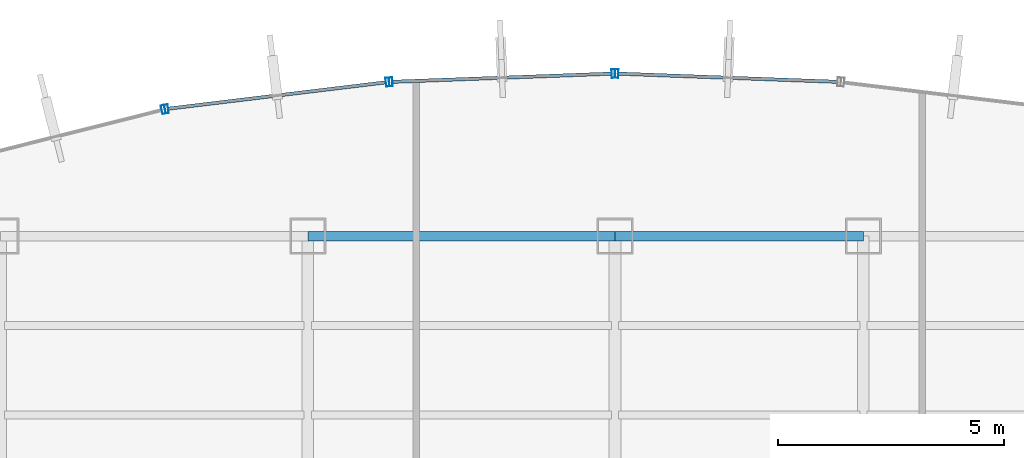
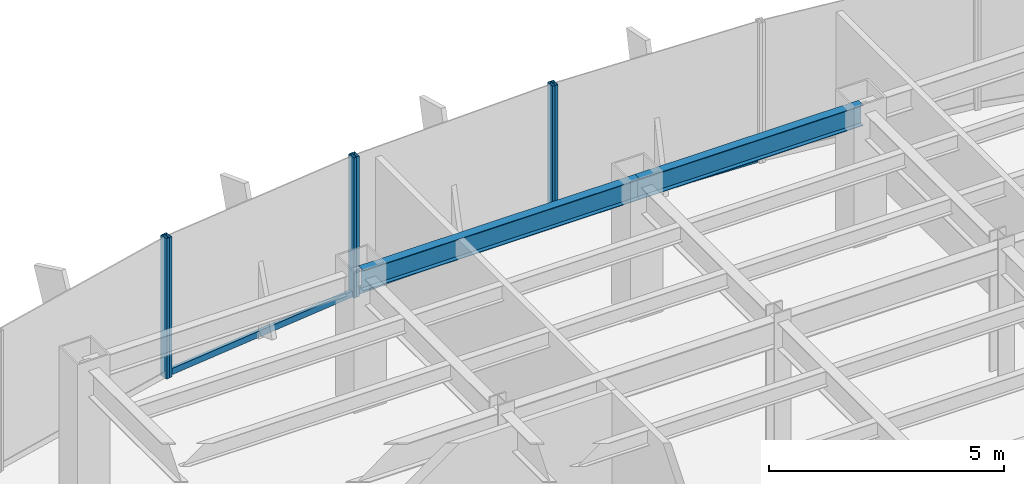
# One storey, part 16 of 26: 9 members, 2 beams, 4 elements without a shape of their own.
"""IFC4 building model written with IfcOpenShell, lengths in metres."""

from ifc_helpers import new_model, si_unit, derived_unit, direction, frame, origin, origin_2d, place, context, subcontext, project, spatial, hollow_rectangle, i_section, extrude, source, transform, mapped, material, material_profile, profile_set, type_object, element, aggregate, save


model = new_model("IFC4")

# Units and contexts
model_context = context("Model", 3, precision=1e-05, world=origin(), true_north=direction((0.0, 1.0)))
body_context = subcontext(model_context, "Body", "Model", "MODEL_VIEW")
ifc_project = project(units=[si_unit("LENGTHUNIT", "METRE"), si_unit("AREAUNIT", "SQUARE_METRE"), si_unit("VOLUMEUNIT", "CUBIC_METRE"), si_unit("PLANEANGLEUNIT", "RADIAN"), si_unit("MASSUNIT", "GRAM", prefix="KILO"), derived_unit("THERMALTRANSMITTANCEUNIT", [(si_unit("POWERUNIT", "WATT"), 1), (si_unit("LENGTHUNIT", "METRE"), -2), (si_unit("THERMODYNAMICTEMPERATUREUNIT", "KELVIN"), -1)])], contexts=[model_context])

# Site, building, storey
site_placement = place(None, origin())
site = spatial("IfcSite", under=ifc_project, at=site_placement, CompositionType="ELEMENT")
building_placement = place(site_placement, origin())
building = spatial("IfcBuilding", under=site, at=building_placement, Name="Skarnbrae Concourse Arena and Tower", CompositionType="ELEMENT")
storey_placement = place(building_placement, frame((0.0, 0.0, 125.14990234375)))
storey = spatial("IfcBuildingStorey", under=building, at=storey_placement, Name="L31", CompositionType="ELEMENT", Elevation=125.14990234375)

# Beams
ifc_material_1 = material(Name="Steel CSA G40.21 350W", Category="steel")
ifc_material_profile_1 = material_profile(ifc_material_1, i_section(OverallWidth=0.208984375, OverallDepth=0.532958984375, WebThickness=0.01025390625, FlangeThickness=0.015625, at=origin_2d()), Name="W530X92")
ifc_profile_set_1 = profile_set([ifc_material_profile_1], Name="Steel CSA G40.21 350W")
beam_type = type_object("IfcBeamType", Name="BM-SPAN-W530X92", PredefinedType="SPANDREL", material=ifc_profile_set_1)
shared_shape_1 = source(origin(), body_context, "Body", "SweptSolid", [
    extrude(i_section(OverallWidth=0.208984375, OverallDepth=0.532958984375, WebThickness=0.01025390625, FlangeThickness=0.015625, at=origin_2d()), origin(), (0.0, 0.0, 1.0), 6.800048828125),
])
beam_1_placement = place(storey_placement, frame((21.199951171875, 40.39990234375, 3.133544921875), z_axis=(1.0, 0.0, 0.0), x_axis=(0.0, 1.0, 0.0)))
element("IfcBeam", 1, at=beam_1_placement, inside=storey, type_object=beam_type, Name="L31 Perimeter spandrel Y40.4-2", PredefinedType="SPANDREL", context=body_context, shape_type="MappedRepresentation", body=[
    mapped(shared_shape_1, transform((0.0, 0.0, 0.0))),
])
shared_shape_2 = source(origin(), body_context, "Body", "SweptSolid", [
    extrude(i_section(OverallWidth=0.208984375, OverallDepth=0.532958984375, WebThickness=0.01025390625, FlangeThickness=0.015625, at=origin_2d()), origin(), (0.0, 0.0, 1.0), 5.5),
])
beam_2_placement = place(storey_placement, frame((28.0, 40.39990234375, 3.133544921875), z_axis=(1.0, 0.0, 0.0), x_axis=(0.0, 1.0, 0.0)))
element("IfcBeam", 2, at=beam_2_placement, inside=storey, type_object=beam_type, Name="L31 Perimeter spandrel Y40.4-3", PredefinedType="SPANDREL", context=body_context, shape_type="MappedRepresentation", body=[
    mapped(shared_shape_2, transform((0.0, 0.0, 0.0))),
])

# Curtain wall, member
ifc_material_2 = material(Name="Bronze anodised aluminium 6063-T6", Category="aluminium")
curtain_wall_type = type_object("IfcCurtainWallType", Name="CW-SYS-04-MIDZONE", PredefinedType="USERDEFINED", material=ifc_material_2)
curtain_wall_1_placement = place(storey_placement, origin())
curtain_wall_1 = element("IfcCurtainWall", 3, at=curtain_wall_1_placement, inside=storey, type_object=curtain_wall_type, Name="L31 Unitised curtain wall CW-L31-E11", ObjectType="UNITISED CURTAIN WALL", PredefinedType="USERDEFINED")
ifc_material_profile_2 = material_profile(ifc_material_2, hollow_rectangle(XDim=0.074951171875, YDim=0.195068359375, WallThickness=0.00439453125, at=origin_2d()), Name="ALU-MULL-75X195")
ifc_profile_set_2 = profile_set([ifc_material_profile_2], Name="Bronze anodised aluminium 6063-T6")
member_type_1 = type_object("IfcMemberType", Name="CWM-CW-04", PredefinedType="MULLION", material=ifc_profile_set_2)
shared_shape_3 = source(origin(), body_context, "Body", "SweptSolid", [
    extrude(hollow_rectangle(XDim=0.074951171875, YDim=0.195068359375, WallThickness=0.00439453125, at=origin_2d()), origin(), (0.0, 0.0, 1.0), 3.650146484375),
])
member_1_placement = place(storey_placement, frame((28.03759765625, 43.99853515625, 0.0), z_axis=(0.0, 0.0, 1.0), x_axis=(-0.999308486252, 0.037182647889, 0.0)))
member_1 = element("IfcMember", 4, at=member_1_placement, type_object=member_type_1, Name="CW-L31-E11 Mullion 2", PredefinedType="MULLION", context=body_context, shape_type="MappedRepresentation", body=[
    mapped(shared_shape_3, transform((0.0, 0.0, 0.0))),
])

# Curtain wall, members
curtain_wall_2_placement = place(storey_placement, origin())
curtain_wall_2 = element("IfcCurtainWall", 5, at=curtain_wall_2_placement, inside=storey, type_object=curtain_wall_type, Name="L31 Unitised curtain wall CW-L31-E12", ObjectType="UNITISED CURTAIN WALL", PredefinedType="USERDEFINED")
member_2_placement = place(storey_placement, frame((27.96240234375, 43.99853515625, 0.0), z_axis=(0.0, 0.0, 1.0), x_axis=(-0.999308486252, -0.037182647889, 0.0)))
member_2 = element("IfcMember", 6, at=member_2_placement, type_object=member_type_1, Name="CW-L31-E12 Mullion 1", PredefinedType="MULLION", context=body_context, shape_type="MappedRepresentation", body=[
    mapped(shared_shape_3, transform((0.0, 0.0, 0.0))),
])
member_3_placement = place(storey_placement, frame((23.03857421875, 43.8154296875, 0.0), z_axis=(0.0, 0.0, 1.0), x_axis=(-0.999308486252, -0.037182647889, 0.0)))
member_3 = element("IfcMember", 7, at=member_3_placement, type_object=member_type_1, Name="CW-L31-E12 Mullion 2", PredefinedType="MULLION", context=body_context, shape_type="MappedRepresentation", body=[
    mapped(shared_shape_3, transform((0.0, 0.0, 0.0))),
])

curtain_wall_3_placement = place(storey_placement, origin())
curtain_wall_3 = element("IfcCurtainWall", 8, at=curtain_wall_3_placement, inside=storey, type_object=curtain_wall_type, Name="L31 Unitised curtain wall CW-L31-E13", ObjectType="UNITISED CURTAIN WALL", PredefinedType="USERDEFINED")
member_4_placement = place(storey_placement, frame((22.9638671875, 43.8095703125, 0.0), z_axis=(0.0, 0.0, 1.0), x_axis=(-0.992749371969, -0.120202680731, 0.0)))
member_4 = element("IfcMember", 9, at=member_4_placement, type_object=member_type_1, Name="CW-L31-E13 Mullion 1", PredefinedType="MULLION", context=body_context, shape_type="MappedRepresentation", body=[
    mapped(shared_shape_3, transform((0.0, 0.0, 0.0))),
])
member_5_placement = place(storey_placement, frame((18.072998046875, 43.21728515625, 0.0), z_axis=(0.0, 0.0, 1.0), x_axis=(-0.992749371969, -0.120202680731, 0.0)))
member_5 = element("IfcMember", 10, at=member_5_placement, type_object=member_type_1, Name="CW-L31-E13 Mullion 2", PredefinedType="MULLION", context=body_context, shape_type="MappedRepresentation", body=[
    mapped(shared_shape_3, transform((0.0, 0.0, 0.0))),
])

# Curtain wall, member
curtain_wall_4_placement = place(storey_placement, origin())
curtain_wall_4 = element("IfcCurtainWall", 11, at=curtain_wall_4_placement, inside=storey, type_object=curtain_wall_type, Name="L31 Unitised curtain wall CW-L31-E14", ObjectType="UNITISED CURTAIN WALL", PredefinedType="USERDEFINED")
member_6_placement = place(storey_placement, frame((17.99951171875, 43.20361328125, 0.0), z_axis=(0.0, 0.0, 1.0), x_axis=(-0.969903046166, -0.243491439351, 0.0)))
member_6 = element("IfcMember", 12, at=member_6_placement, type_object=member_type_1, Name="CW-L31-E14 Mullion 1", PredefinedType="MULLION", context=body_context, shape_type="MappedRepresentation", body=[
    mapped(shared_shape_3, transform((0.0, 0.0, 0.0))),
])
aggregate(curtain_wall_4, [member_6])

# Member
ifc_material_profile_3 = material_profile(ifc_material_2, hollow_rectangle(XDim=0.074951171875, YDim=0.159912109375, WallThickness=0.00439453125, at=origin_2d()), Name="ALU-TRAN-75X160")
ifc_profile_set_3 = profile_set([ifc_material_profile_3], Name="Bronze anodised aluminium 6063-T6")
member_type_2 = type_object("IfcMemberType", Name="CWT-CW-04", PredefinedType="USERDEFINED", material=ifc_profile_set_3)
shared_shape_4 = source(origin(), body_context, "Body", "SweptSolid", [
    extrude(hollow_rectangle(XDim=0.074951171875, YDim=0.159912109375, WallThickness=0.00439453125, at=origin_2d()), origin(), (0.0, 0.0, 1.0), 4.851318359375),
])
member_7_placement = place(storey_placement, frame((22.926513671875, 43.804931640625, 0.080078125), z_axis=(-0.992746710317, -0.120224661172, 0.0), x_axis=(0.120224661172, -0.992746710317, 0.0)))
member_7 = element("IfcMember", 13, at=member_7_placement, type_object=member_type_2, Name="CW-L31-E13 Transom 1", ObjectType="TRANSOM", PredefinedType="USERDEFINED", context=body_context, shape_type="MappedRepresentation", body=[
    mapped(shared_shape_4, transform((0.0, 0.0, 0.0))),
])

aggregate(curtain_wall_3, [member_4, member_5, member_7])

shared_shape_5 = source(origin(), body_context, "Body", "SweptSolid", [
    extrude(hollow_rectangle(XDim=0.074951171875, YDim=0.159912109375, WallThickness=0.00439453125, at=origin_2d()), origin(), (0.0, 0.0, 1.0), 4.8525390625),
])
member_8_placement = place(storey_placement, frame((32.924072265625, 43.81689453125, 0.080078125), z_axis=(-0.999308547576, 0.037180999731, 0.0), x_axis=(-0.037180999731, -0.999308547576, 0.0)))
member_8 = element("IfcMember", 14, at=member_8_placement, type_object=member_type_2, Name="CW-L31-E11 Transom 1", ObjectType="TRANSOM", PredefinedType="USERDEFINED", context=body_context, shape_type="MappedRepresentation", body=[
    mapped(shared_shape_5, transform((0.0, 0.0, 0.0))),
])

aggregate(curtain_wall_1, [member_1, member_8])

member_9_placement = place(storey_placement, frame((27.925048828125, 43.997314453125, 0.080078125), z_axis=(-0.999308547576, -0.037180999731, 0.0), x_axis=(0.037180999731, -0.999308547576, 0.0)))
member_9 = element("IfcMember", 15, at=member_9_placement, type_object=member_type_2, Name="CW-L31-E12 Transom 1", ObjectType="TRANSOM", PredefinedType="USERDEFINED", context=body_context, shape_type="MappedRepresentation", body=[
    mapped(shared_shape_5, transform((0.0, 0.0, 0.0))),
])

aggregate(curtain_wall_2, [member_2, member_3, member_9])

save(model, "model.ifc")
